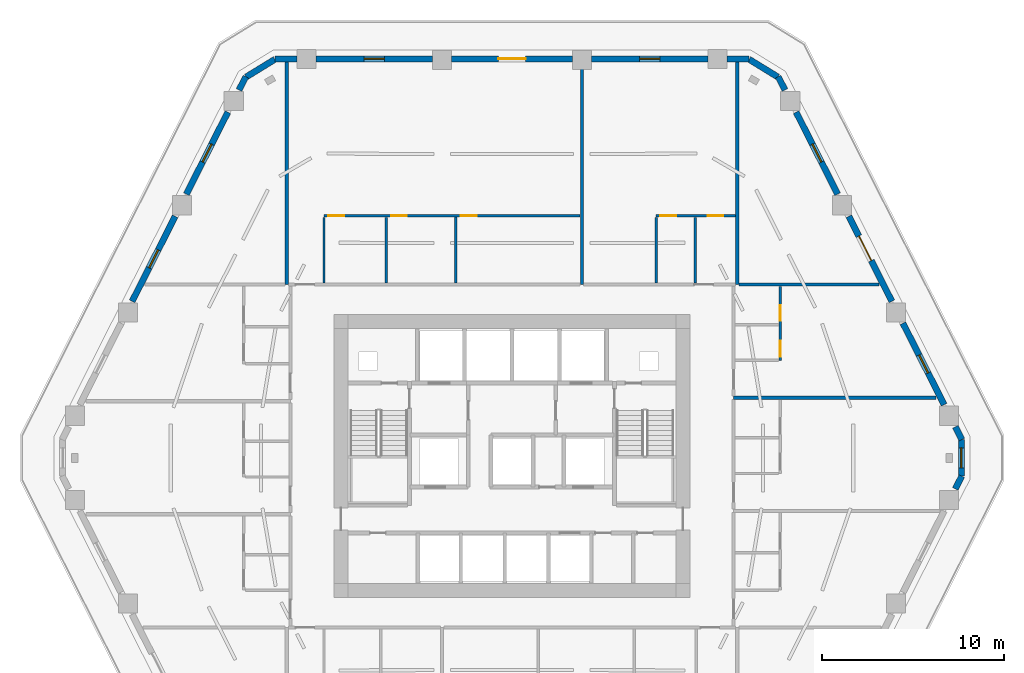
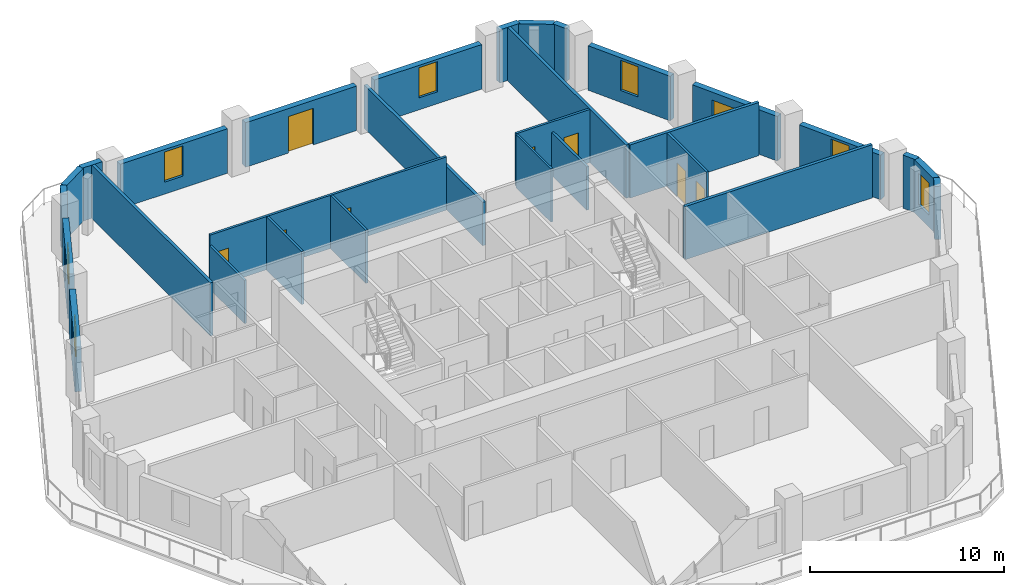
# One storey, part 6 of 10: 30 walls, 9 doors, 7 windows, 16 openings.
"""IFC4 building model written with IfcOpenShell, lengths in metres."""

from ifc_helpers import new_model, si_unit, direction, frame, frame_2d, origin, place, context, subcontext, project, spatial, rectangle, extrude, material, layer, layer_set, type_object, element, fill, save


model = new_model("IFC4")

# Units and contexts
model_context = context("Model", 3, precision=1e-05, world=origin(), true_north=direction((0.0, 1.0)))
body_context = subcontext(model_context, "Body", "Model", "MODEL_VIEW")
ifc_project = project(units=[si_unit("LENGTHUNIT", "METRE"), si_unit("AREAUNIT", "SQUARE_METRE"), si_unit("VOLUMEUNIT", "CUBIC_METRE"), si_unit("PLANEANGLEUNIT", "RADIAN"), si_unit("MASSUNIT", "GRAM", prefix="KILO")], contexts=[model_context])

# Site, building, storey
site_placement = place(None, origin())
site = spatial("IfcSite", under=ifc_project, at=site_placement, CompositionType="ELEMENT")
building_placement = place(site_placement, origin())
building = spatial("IfcBuilding", under=site, at=building_placement, Name="Cinnabar Lancet Tower", CompositionType="ELEMENT")
storey_placement = place(building_placement, frame((0.0, 0.0, 98.39990234375)))
storey = spatial("IfcBuildingStorey", under=building, at=storey_placement, Name="L25", CompositionType="ELEMENT", Elevation=98.39990234375)

# Walls
ifc_material_1 = material(Name="Fire-rated twin-frame acoustic drywall", Category="gypsum")
ifc_layer_1 = layer(ifc_material_1, 0.179931640625)
ifc_layer_set_1 = layer_set([ifc_layer_1], Name="Fire-rated twin-frame acoustic drywall")
wall_type_1 = type_object("IfcWallType", Name="ARC-WL-PARTY-180", PredefinedType="PARTITIONING", material=ifc_layer_set_1)
wall_1_placement = place(storey_placement, frame((20.050048828125, 35.300048828125, 0.0), z_axis=(0.0, 0.0, 1.0), x_axis=(0.0, 1.0, 0.0)))
element("IfcWall", 1, at=wall_1_placement, inside=storey, type_object=wall_type_1, Name="PW-L25-NPTY-200", PredefinedType="PARTITIONING", context=body_context, shape_type="SweptSolid", body=[
    extrude(rectangle(XDim=12.195068359375, YDim=0.179931640625, at=frame_2d((6.09765625, 0.0))), origin(), (0.0, 0.0, 1.0), 3.340087890625),
])
wall_2_placement = place(storey_placement, frame((36.23193359375, 35.300048828125, 0.0), z_axis=(0.0, 0.0, 1.0), x_axis=(0.0, 1.0, 0.0)))
element("IfcWall", 2, at=wall_2_placement, inside=storey, type_object=wall_type_1, Name="PW-L25-NPTY-362", PredefinedType="PARTITIONING", context=body_context, shape_type="SweptSolid", body=[
    extrude(rectangle(XDim=12.195068359375, YDim=0.179931640625, at=frame_2d((6.09765625, 0.0))), origin(), (0.0, 0.0, 1.0), 2.72216796875),
])
wall_3_placement = place(storey_placement, frame((44.75, 35.300048828125, 0.0), z_axis=(0.0, 0.0, 1.0), x_axis=(0.0, 1.0, 0.0)))
element("IfcWall", 3, at=wall_3_placement, inside=storey, type_object=wall_type_1, Name="PW-L25-NPTY-448", PredefinedType="PARTITIONING", context=body_context, shape_type="SweptSolid", body=[
    extrude(rectangle(XDim=12.195068359375, YDim=0.179931640625, at=frame_2d((6.09765625, 0.0))), origin(), (0.0, 0.0, 1.0), 3.340087890625),
])
wall_4_placement = place(storey_placement, frame((44.844970703125, 35.300048828125, 0.0), z_axis=(0.0, 0.0, 1.0), x_axis=(1.0, 0.0, 0.0)))
element("IfcWall", 4, at=wall_4_placement, inside=storey, type_object=wall_type_1, Name="PW-L25-ENB", PredefinedType="PARTITIONING", context=body_context, shape_type="SweptSolid", body=[
    extrude(rectangle(XDim=7.6689453125, YDim=0.179931640625, at=frame_2d((3.83447265625, 0.0))), origin(), (0.0, 0.0, 1.0), 3.340087890625),
])
wall_5_placement = place(storey_placement, frame((44.550048828125, 29.095947265625, 0.0), z_axis=(0.0, 0.0, 1.0), x_axis=(1.0, 0.0, 0.0)))
element("IfcWall", 5, at=wall_5_placement, inside=storey, type_object=wall_type_1, Name="PW-L25-EPTY-2", PredefinedType="PARTITIONING", context=body_context, shape_type="SweptSolid", body=[
    extrude(rectangle(XDim=11.10302734375, YDim=0.179931640625, at=frame_2d((5.551513671875, 0.0))), origin(), (0.0, 0.0, 1.0), 3.340087890625),
])
ifc_material_2 = material(Name="Gypsum plasterboard stud partition", Category="gypsum")
ifc_layer_2 = layer(ifc_material_2, 0.125)
ifc_layer_set_2 = layer_set([ifc_layer_2], Name="Gypsum plasterboard stud partition")
wall_type_2 = type_object("IfcWallType", Name="ARC-WL-UNIT-125", PredefinedType="PARTITIONING", material=ifc_layer_set_2)
wall_6_placement = place(storey_placement, frame((22.10009765625, 35.385009765625, 0.0), z_axis=(0.0, 0.0, 1.0), x_axis=(0.0, 1.0, 0.0)))
element("IfcWall", 6, at=wall_6_placement, inside=storey, type_object=wall_type_2, Name="UW-L25-N01-FOYE", PredefinedType="PARTITIONING", context=body_context, shape_type="SweptSolid", body=[
    extrude(rectangle(XDim=3.590087890625, YDim=0.125, at=frame_2d((1.794921875, 0.0))), origin(), (0.0, 0.0, 1.0), 2.72216796875),
])
wall_7_placement = place(storey_placement, frame((40.300048828125, 35.385009765625, 0.0), z_axis=(0.0, 0.0, 1.0), x_axis=(0.0, 1.0, 0.0)))
element("IfcWall", 7, at=wall_7_placement, inside=storey, type_object=wall_type_2, Name="UW-L25-N02-FOYE", PredefinedType="PARTITIONING", context=body_context, shape_type="SweptSolid", body=[
    extrude(rectangle(XDim=3.590087890625, YDim=0.125, at=frame_2d((1.794921875, 0.0))), origin(), (0.0, 0.0, 1.0), 3.340087890625),
])

# Wall, openings, doors
ifc_material_3 = material(Name="Moisture-resistant cement-board plumbing wall", Category="masonry")
ifc_layer_3 = layer(ifc_material_3, 0.139892578125)
ifc_layer_set_3 = layer_set([ifc_layer_3], Name="Moisture-resistant cement-board plumbing wall")
wall_type_3 = type_object("IfcWallType", Name="ARC-WL-WET-140", PredefinedType="PLUMBINGWALL", material=ifc_layer_set_3)
wall_8_placement = place(storey_placement, frame((22.10009765625, 39.080078125, 0.0), z_axis=(0.0, 0.0, 1.0), x_axis=(1.0, 0.0, 0.0)))
wall_8 = element("IfcWall", 8, at=wall_8_placement, inside=storey, type_object=wall_type_3, Name="UW-L25-N01-SPL", PredefinedType="PLUMBINGWALL", context=body_context, shape_type="SweptSolid", body=[
    extrude(rectangle(XDim=14.036865234375, YDim=0.139892578125, at=frame_2d((7.0185546875, 0.0))), origin(), (0.0, 0.0, 1.0), 3.340087890625),
])
opening_1_placement = place(wall_8_placement, frame((3.679931640625, 0.0, 0.0)))
opening_1 = element("IfcOpeningElement", 9, at=opening_1_placement, cuts=wall_8, Name="Opening BD-01", PredefinedType="OPENING", context=body_context, shape_type="SweptSolid", body=[
    extrude(rectangle(XDim=0.860107421875, YDim=2.10009765625, at=frame_2d((0.43017578125, 1.050048828125))), frame((0.0, 0.079833984375, 0.0), z_axis=(0.0, -1.0, 0.0), x_axis=(1.0, 0.0, 0.0)), (0.0, 0.0, 1.0), 0.159912109375),
])
opening_2_placement = place(wall_8_placement, frame((7.491943359375, 0.0, 0.0)))
opening_2 = element("IfcOpeningElement", 10, at=opening_2_placement, cuts=wall_8, Name="Opening RD-02", PredefinedType="OPENING", context=body_context, shape_type="SweptSolid", body=[
    extrude(rectangle(XDim=0.8798828125, YDim=2.14990234375, at=frame_2d((0.43994140625, 1.074951171875))), frame((0.0, 0.079833984375, 0.0), z_axis=(0.0, -1.0, 0.0), x_axis=(1.0, 0.0, 0.0)), (0.0, 0.0, 1.0), 0.159912109375),
])
opening_3_placement = place(wall_8_placement, frame((0.219970703125, 0.0, 0.0)))
opening_3 = element("IfcOpeningElement", 11, at=opening_3_placement, cuts=wall_8, Name="Opening RD-02", PredefinedType="OPENING", context=body_context, shape_type="SweptSolid", body=[
    extrude(rectangle(XDim=0.8798828125, YDim=2.14990234375, at=frame_2d((0.43994140625, 1.074951171875))), frame((0.0, 0.079833984375, 0.0), z_axis=(0.0, -1.0, 0.0), x_axis=(1.0, 0.0, 0.0)), (0.0, 0.0, 1.0), 0.159912109375),
])
ifc_material_4 = material(Name="Moisture-resistant timber bathroom door", Category="wood")
door_type_1 = type_object("IfcDoorType", Name="ARC-DR-BATH", OperationType="NOTDEFINED", PredefinedType="DOOR", material=ifc_material_4)
door_1_placement = place(opening_1_placement, origin())
door_1 = element("IfcDoor", 12, at=door_1_placement, inside=storey, type_object=door_type_1, Name="DR-L25-N01-BTH", OperationType="SINGLE_SWING_LEFT", OverallHeight=2.10009765625, OverallWidth=0.860107421875, PredefinedType="DOOR", context=body_context, shape_type="SweptSolid", body=[
    extrude(rectangle(XDim=0.860107421875, YDim=2.10009765625, at=frame_2d((0.43017578125, 1.050048828125))), frame((0.0, 0.02490234375, 0.0), z_axis=(0.0, -1.0, 0.0), x_axis=(1.0, 0.0, 0.0)), (0.0, 0.0, 1.0), 0.050048828125),
])
fill(opening_1, door_1)
ifc_material_5 = material(Name="Engineered timber study door", Category="wood")
door_type_2 = type_object("IfcDoorType", Name="ARC-DR-STUDY", OperationType="NOTDEFINED", PredefinedType="DOOR", material=ifc_material_5)
door_2_placement = place(opening_2_placement, origin())
door_2 = element("IfcDoor", 13, at=door_2_placement, inside=storey, type_object=door_type_2, Name="DR-L25-N01-BTH-WDR", OperationType="SINGLE_SWING_RIGHT", OverallHeight=2.14990234375, OverallWidth=0.8798828125, PredefinedType="DOOR", context=body_context, shape_type="SweptSolid", body=[
    extrude(rectangle(XDim=0.8798828125, YDim=2.14990234375, at=frame_2d((0.43994140625, 1.074951171875))), frame((0.0, 0.02490234375, 0.0), z_axis=(0.0, -1.0, 0.0), x_axis=(1.0, 0.0, 0.0)), (0.0, 0.0, 1.0), 0.050048828125),
])
fill(opening_2, door_2)
door_3_placement = place(opening_3_placement, origin())
door_3 = element("IfcDoor", 14, at=door_3_placement, inside=storey, type_object=door_type_2, Name="DR-L25-N01-KIT", OperationType="SINGLE_SWING_RIGHT", OverallHeight=2.14990234375, OverallWidth=0.8798828125, PredefinedType="DOOR", context=body_context, shape_type="SweptSolid", body=[
    extrude(rectangle(XDim=0.8798828125, YDim=2.14990234375, at=frame_2d((0.43994140625, 1.074951171875))), frame((0.0, 0.02490234375, 0.0), z_axis=(0.0, -1.0, 0.0), x_axis=(1.0, 0.0, 0.0)), (0.0, 0.0, 1.0), 0.050048828125),
])
fill(opening_3, door_3)

# Walls
wall_9_placement = place(storey_placement, frame((25.5, 35.385009765625, 0.0), z_axis=(0.0, 0.0, 1.0), x_axis=(0.0, 1.0, 0.0)))
element("IfcWall", 15, at=wall_9_placement, inside=storey, type_object=wall_type_3, Name="UW-L25-N01-KDV", PredefinedType="PLUMBINGWALL", context=body_context, shape_type="SweptSolid", body=[
    extrude(rectangle(XDim=3.590087890625, YDim=0.139892578125, at=frame_2d((1.794921875, 0.0))), origin(), (0.0, 0.0, 1.0), 3.340087890625),
])
wall_10_placement = place(storey_placement, frame((29.31201171875, 35.385009765625, 0.0), z_axis=(0.0, 0.0, 1.0), x_axis=(0.0, 1.0, 0.0)))
element("IfcWall", 16, at=wall_10_placement, inside=storey, type_object=wall_type_3, Name="UW-L25-N01-BTH-WDV", PredefinedType="PLUMBINGWALL", context=body_context, shape_type="SweptSolid", body=[
    extrude(rectangle(XDim=3.610107421875, YDim=0.139892578125, at=frame_2d((1.80517578125, 0.0))), origin(), (0.0, 0.0, 1.0), 3.340087890625),
])

# Wall, openings, doors
wall_11_placement = place(storey_placement, frame((40.300048828125, 39.080078125, 0.0), z_axis=(0.0, 0.0, 1.0), x_axis=(1.0, 0.0, 0.0)))
wall_11 = element("IfcWall", 17, at=wall_11_placement, inside=storey, type_object=wall_type_3, Name="UW-L25-N02-SPL", PredefinedType="PLUMBINGWALL", context=body_context, shape_type="SweptSolid", body=[
    extrude(rectangle(XDim=4.35498046875, YDim=0.139892578125, at=frame_2d((2.177490234375, 0.0))), origin(), (0.0, 0.0, 1.0), 3.340087890625),
])
opening_4_placement = place(wall_11_placement, frame((2.821044921875, 0.0, 0.0)))
opening_4 = element("IfcOpeningElement", 18, at=opening_4_placement, cuts=wall_11, Name="Opening BD-01", PredefinedType="OPENING", context=body_context, shape_type="SweptSolid", body=[
    extrude(rectangle(XDim=0.860107421875, YDim=2.10009765625, at=frame_2d((0.43017578125, 1.050048828125))), frame((0.0, 0.079833984375, 0.0), z_axis=(0.0, -1.0, 0.0), x_axis=(1.0, 0.0, 0.0)), (0.0, 0.0, 1.0), 0.159912109375),
])
opening_5_placement = place(wall_11_placement, frame((0.219970703125, 0.0, 0.0)))
opening_5 = element("IfcOpeningElement", 19, at=opening_5_placement, cuts=wall_11, Name="Opening RD-02", PredefinedType="OPENING", context=body_context, shape_type="SweptSolid", body=[
    extrude(rectangle(XDim=0.8798828125, YDim=2.14990234375, at=frame_2d((0.43994140625, 1.074951171875))), frame((0.0, 0.079833984375, 0.0), z_axis=(0.0, -1.0, 0.0), x_axis=(1.0, 0.0, 0.0)), (0.0, 0.0, 1.0), 0.159912109375),
])
door_4_placement = place(opening_4_placement, origin())
door_4 = element("IfcDoor", 20, at=door_4_placement, inside=storey, type_object=door_type_1, Name="DR-L25-N02-BTH", OperationType="SINGLE_SWING_RIGHT", OverallHeight=2.10009765625, OverallWidth=0.860107421875, PredefinedType="DOOR", context=body_context, shape_type="SweptSolid", body=[
    extrude(rectangle(XDim=0.860107421875, YDim=2.10009765625, at=frame_2d((0.43017578125, 1.050048828125))), frame((0.0, 0.02490234375, 0.0), z_axis=(0.0, -1.0, 0.0), x_axis=(1.0, 0.0, 0.0)), (0.0, 0.0, 1.0), 0.050048828125),
])
fill(opening_4, door_4)
door_5_placement = place(opening_5_placement, origin())
door_5 = element("IfcDoor", 21, at=door_5_placement, inside=storey, type_object=door_type_2, Name="DR-L25-N02-KIT", OperationType="SINGLE_SWING_LEFT", OverallHeight=2.14990234375, OverallWidth=0.8798828125, PredefinedType="DOOR", context=body_context, shape_type="SweptSolid", body=[
    extrude(rectangle(XDim=0.8798828125, YDim=2.14990234375, at=frame_2d((0.43994140625, 1.074951171875))), frame((0.0, 0.02490234375, 0.0), z_axis=(0.0, -1.0, 0.0), x_axis=(1.0, 0.0, 0.0)), (0.0, 0.0, 1.0), 0.050048828125),
])
fill(opening_5, door_5)

# Wall
wall_12_placement = place(storey_placement, frame((42.43603515625, 35.385009765625, 0.0), z_axis=(0.0, 0.0, 1.0), x_axis=(0.0, 1.0, 0.0)))
element("IfcWall", 22, at=wall_12_placement, inside=storey, type_object=wall_type_3, Name="UW-L25-N02-KDV", PredefinedType="PLUMBINGWALL", context=body_context, shape_type="SweptSolid", body=[
    extrude(rectangle(XDim=3.590087890625, YDim=0.139892578125, at=frame_2d((1.794921875, 0.0))), origin(), (0.0, 0.0, 1.0), 2.72216796875),
])

# Wall, openings, doors
wall_13_placement = place(storey_placement, frame((47.10009765625, 31.14599609375, 0.0), z_axis=(0.0, 0.0, 1.0), x_axis=(0.0, 1.0, 0.0)))
wall_13 = element("IfcWall", 23, at=wall_13_placement, inside=storey, type_object=wall_type_3, Name="UW-L25-E03-SPL", PredefinedType="PLUMBINGWALL", context=body_context, shape_type="SweptSolid", body=[
    extrude(rectangle(XDim=4.05908203125, YDim=0.139892578125, at=frame_2d((2.029541015625, 0.0))), origin(), (0.0, 0.0, 1.0), 3.340087890625),
])
opening_6_placement = place(wall_13_placement, frame((2.16796875, 0.0, 0.0)))
opening_6 = element("IfcOpeningElement", 24, at=opening_6_placement, cuts=wall_13, Name="Opening BD-01", PredefinedType="OPENING", context=body_context, shape_type="SweptSolid", body=[
    extrude(rectangle(XDim=0.860107421875, YDim=2.10009765625, at=frame_2d((0.43017578125, 1.050048828125))), frame((0.0, 0.079833984375, 0.0), z_axis=(0.0, -1.0, 0.0), x_axis=(1.0, 0.0, 0.0)), (0.0, 0.0, 1.0), 0.159912109375),
])
opening_7_placement = place(wall_13_placement, frame((0.199951171875, 0.0, 0.0)))
opening_7 = element("IfcOpeningElement", 25, at=opening_7_placement, cuts=wall_13, Name="Opening RD-02", PredefinedType="OPENING", context=body_context, shape_type="SweptSolid", body=[
    extrude(rectangle(XDim=0.8798828125, YDim=2.14990234375, at=frame_2d((0.43994140625, 1.074951171875))), frame((0.0, 0.079833984375, 0.0), z_axis=(0.0, -1.0, 0.0), x_axis=(1.0, 0.0, 0.0)), (0.0, 0.0, 1.0), 0.159912109375),
])
door_6_placement = place(opening_6_placement, origin())
door_6 = element("IfcDoor", 26, at=door_6_placement, inside=storey, type_object=door_type_1, Name="DR-L25-E03-BTH", OperationType="SINGLE_SWING_LEFT", OverallHeight=2.10009765625, OverallWidth=0.860107421875, PredefinedType="DOOR", context=body_context, shape_type="SweptSolid", body=[
    extrude(rectangle(XDim=0.860107421875, YDim=2.10009765625, at=frame_2d((0.43017578125, 1.050048828125))), frame((0.0, 0.02490234375, 0.0), z_axis=(0.0, -1.0, 0.0), x_axis=(1.0, 0.0, 0.0)), (0.0, 0.0, 1.0), 0.050048828125),
])
fill(opening_6, door_6)
door_7_placement = place(opening_7_placement, origin())
door_7 = element("IfcDoor", 27, at=door_7_placement, inside=storey, type_object=door_type_2, Name="DR-L25-E03-KIT", OperationType="SINGLE_SWING_RIGHT", OverallHeight=2.14990234375, OverallWidth=0.8798828125, PredefinedType="DOOR", context=body_context, shape_type="SweptSolid", body=[
    extrude(rectangle(XDim=0.8798828125, YDim=2.14990234375, at=frame_2d((0.43994140625, 1.074951171875))), frame((0.0, 0.02490234375, 0.0), z_axis=(0.0, -1.0, 0.0), x_axis=(1.0, 0.0, 0.0)), (0.0, 0.0, 1.0), 0.050048828125),
])
fill(opening_7, door_7)

# Wall, opening, window
ifc_material_6 = material(Name="Cinnabar red clay brick", Category="masonry")
ifc_layer_4 = layer(ifc_material_6, 0.340087890625)
ifc_layer_set_4 = layer_set([ifc_layer_4], Name="Cinnabar red clay brick")
wall_type_4 = type_object("IfcWallType", Name="ENV-WL-BRK-RED-340", PredefinedType="STANDARD", material=ifc_layer_set_4)
wall_14_placement = place(storey_placement, frame((57.032958984375, 24.802978515625, 0.0), z_axis=(0.0, 0.0, 1.0), x_axis=(0.0, 1.0, 0.0)))
wall_14 = element("IfcWall", 28, at=wall_14_placement, inside=storey, type_object=wall_type_4, Name="L25 Chamfered Corner Brick Pier 3.1", PredefinedType="STANDARD", context=body_context, shape_type="SweptSolid", body=[
    extrude(rectangle(XDim=1.994140625, YDim=0.340087890625, at=frame_2d((0.9970703125, 0.0))), origin(), (0.0, 0.0, 1.0), 3.340087890625),
])
opening_8_placement = place(wall_14_placement, frame((0.447021484375, 0.0, 0.75)))
opening_8 = element("IfcOpeningElement", 29, at=opening_8_placement, cuts=wall_14, Name="Opening WN-04", PredefinedType="OPENING", context=body_context, shape_type="SweptSolid", body=[
    extrude(rectangle(XDim=1.10009765625, YDim=2.0, at=frame_2d((0.550048828125, 1.0))), frame((0.0, 0.179931640625, 0.0), z_axis=(0.0, -1.0, 0.0), x_axis=(1.0, 0.0, 0.0)), (0.0, 0.0, 1.0), 0.360107421875),
])
ifc_material_7 = material(Name="Thermally broken bronze-anodized aluminium tall lancet window", Category="aluminium")
window_type = type_object("IfcWindowType", Name="ENV-WN-LANCET-1100", PartitioningType="SINGLE_PANEL", PredefinedType="WINDOW", material=ifc_material_7)
window_1_placement = place(opening_8_placement, origin())
window_1 = element("IfcWindow", 30, at=window_1_placement, inside=storey, type_object=window_type, Name="L25 Dwelling Gothic Lancet Window 315", OverallHeight=2.0, OverallWidth=1.10009765625, PartitioningType="SINGLE_PANEL", PredefinedType="WINDOW", context=body_context, shape_type="SweptSolid", body=[
    extrude(rectangle(XDim=1.10009765625, YDim=2.0, at=frame_2d((0.550048828125, 1.0))), frame((0.0, 0.030029296875, 0.0), z_axis=(0.0, -1.0, 0.0), x_axis=(1.0, 0.0, 0.0)), (0.0, 0.0, 1.0), 0.06005859375),
])
fill(opening_8, window_1)

# Walls
for number, where, z_axis, x_axis, name in (
    (31, (46.970947265625, 46.677001953125, 0.0), (0.0, 0.0, 1.0), (-0.851798915137, 0.523868884523, 0.0), "L25 Chamfered Corner Brick Pier 4.1"),
    (32, (19.403076171875, 47.64501953125, 0.0), (0.0, 0.0, 1.0), (-0.851798915137, -0.523868884523, 0.0), "L25 Chamfered Corner Brick Pier 5.1"),
):
    element("IfcWall", number, at=place(storey_placement, frame(where, z_axis=z_axis, x_axis=x_axis)), inside=storey, type_object=wall_type_4, Name=name, PredefinedType="STANDARD", context=body_context, shape_type="SweptSolid", body=[
        extrude(rectangle(XDim=1.847900390625, YDim=0.340087890625, at=frame_2d((0.923828125, 0.0))), origin(), (0.0, 0.0, 1.0), 3.340087890625),
    ])
for number, where, z_axis, x_axis, name in (
    (33, (56.699951171875, 24.096923828125, 0.0), (0.0, 0.0, 1.0), (0.451819324107, 0.89210946546, 0.0), "L25 Face 2 Masonry Bay Wall 5"),
    (34, (57.053955078125, 26.803955078125, 0.0), (0.0, 0.0, 1.0), (-0.451819324107, 0.89210946546, 0.0), "L25 Face 3 Masonry Bay Wall 1"),
):
    element("IfcWall", number, at=place(storey_placement, frame(where, z_axis=z_axis, x_axis=x_axis)), inside=storey, type_object=wall_type_4, Name=name, PredefinedType="STANDARD", context=body_context, shape_type="SweptSolid", body=[
        extrude(rectangle(XDim=0.783447265625, YDim=0.340087890625, at=frame_2d((0.3916015625, 0.0))), origin(), (0.0, 0.0, 1.0), 3.340087890625),
    ])

# Wall, opening, window
wall_15_placement = place(storey_placement, frame((56.0869140625, 28.715087890625, 0.0), z_axis=(0.0, 0.0, 1.0), x_axis=(-0.451431617681, 0.892305718102, 0.0)))
wall_15 = element("IfcWall", 35, at=wall_15_placement, inside=storey, type_object=wall_type_4, Name="L25 Face 3 Masonry Bay Wall 2", PredefinedType="STANDARD", context=body_context, shape_type="SweptSolid", body=[
    extrude(rectangle(XDim=4.994873046875, YDim=0.340087890625, at=frame_2d((2.49755859375, 0.0))), origin(), (0.0, 0.0, 1.0), 2.797119140625),
])
opening_9_placement = place(wall_15_placement, frame((1.947021484375, 0.0, 0.75)))
opening_9 = element("IfcOpeningElement", 36, at=opening_9_placement, cuts=wall_15, Name="Opening WN-04", PredefinedType="OPENING", context=body_context, shape_type="SweptSolid", body=[
    extrude(rectangle(XDim=1.10009765625, YDim=1.89697265625, at=frame_2d((0.550048828125, 0.948486328125))), frame((0.0, 0.179931640625, 0.0), z_axis=(0.0, -1.0, 0.0), x_axis=(1.0, 0.0, 0.0)), (0.0, 0.0, 1.0), 0.360107421875),
])
window_2_placement = place(opening_9_placement, origin())
window_2 = element("IfcWindow", 37, at=window_2_placement, inside=storey, type_object=window_type, Name="L25 Face 3 Gothic Lancet Window 2", OverallHeight=1.89697265625, OverallWidth=1.10009765625, PartitioningType="SINGLE_PANEL", PredefinedType="WINDOW", context=body_context, shape_type="SweptSolid", body=[
    extrude(rectangle(XDim=1.10009765625, YDim=1.89697265625, at=frame_2d((0.550048828125, 0.948486328125))), frame((0.0, 0.030029296875, 0.0), z_axis=(0.0, -1.0, 0.0), x_axis=(1.0, 0.0, 0.0)), (0.0, 0.0, 1.0), 0.06005859375),
])
fill(opening_9, window_2)

# Wall, opening, door
wall_16_placement = place(storey_placement, frame((53.219970703125, 34.382080078125, 0.0), z_axis=(0.0, 0.0, 1.0), x_axis=(-0.451567731634, 0.892236842855, 0.0)))
wall_16 = element("IfcWall", 38, at=wall_16_placement, inside=storey, type_object=wall_type_4, Name="L25 Face 3 Masonry Bay Wall 3", PredefinedType="STANDARD", context=body_context, shape_type="SweptSolid", body=[
    extrude(rectangle(XDim=5.219482421875, YDim=0.340087890625, at=frame_2d((2.60986328125, 0.0))), origin(), (0.0, 0.0, 1.0), 2.797119140625),
])
opening_10_placement = place(wall_16_placement, frame((2.4990234375, 0.0, 0.0)))
opening_10 = element("IfcOpeningElement", 39, at=opening_10_placement, cuts=wall_16, Name="Opening TD-02", PredefinedType="OPENING", context=body_context, shape_type="SweptSolid", body=[
    extrude(rectangle(XDim=1.5, YDim=2.300048828125, at=frame_2d((0.75, 1.14990234375))), frame((0.0, 0.179931640625, 0.0), z_axis=(0.0, -1.0, 0.0), x_axis=(1.0, 0.0, 0.0)), (0.0, 0.0, 1.0), 0.360107421875),
])
ifc_material_8 = material(Name="Thermally broken low-E glazed sky-terrace double door", Category="wood")
door_type_3 = type_object("IfcDoorType", Name="ARC-DR-STER", OperationType="NOTDEFINED", PredefinedType="DOOR", material=ifc_material_8)
door_8_placement = place(opening_10_placement, origin())
door_8 = element("IfcDoor", 40, at=door_8_placement, inside=storey, type_object=door_type_3, Name="L25 Face 3 Glazed Terrace Door", OperationType="SINGLE_SWING_RIGHT", OverallHeight=2.300048828125, OverallWidth=1.5, PredefinedType="DOOR", context=body_context, shape_type="SweptSolid", body=[
    extrude(rectangle(XDim=1.5, YDim=2.300048828125, at=frame_2d((0.75, 1.14990234375))), frame((0.0, 0.02490234375, 0.0), z_axis=(0.0, -1.0, 0.0), x_axis=(1.0, 0.0, 0.0)), (0.0, 0.0, 1.0), 0.050048828125),
])
fill(opening_10, door_8)

# Wall, opening, window
wall_17_placement = place(storey_placement, frame((50.2509765625, 40.2509765625, 0.0), z_axis=(0.0, 0.0, 1.0), x_axis=(-0.451548465867, 0.892246593142, 0.0)))
wall_17 = element("IfcWall", 41, at=wall_17_placement, inside=storey, type_object=wall_type_4, Name="L25 Face 3 Masonry Bay Wall 4", PredefinedType="STANDARD", context=body_context, shape_type="SweptSolid", body=[
    extrude(rectangle(XDim=5.040283203125, YDim=0.340087890625, at=frame_2d((2.52001953125, 0.0))), origin(), (0.0, 0.0, 1.0), 2.797119140625),
])
opening_11_placement = place(wall_17_placement, frame((1.969970703125, 0.0, 0.75)))
opening_11 = element("IfcOpeningElement", 42, at=opening_11_placement, cuts=wall_17, Name="Opening WN-04", PredefinedType="OPENING", context=body_context, shape_type="SweptSolid", body=[
    extrude(rectangle(XDim=1.10009765625, YDim=1.89697265625, at=frame_2d((0.550048828125, 0.948486328125))), frame((0.0, 0.179931640625, 0.0), z_axis=(0.0, -1.0, 0.0), x_axis=(1.0, 0.0, 0.0)), (0.0, 0.0, 1.0), 0.360107421875),
])
window_3_placement = place(opening_11_placement, origin())
window_3 = element("IfcWindow", 43, at=window_3_placement, inside=storey, type_object=window_type, Name="L25 Face 3 Gothic Lancet Window 4", OverallHeight=1.89697265625, OverallWidth=1.10009765625, PartitioningType="SINGLE_PANEL", PredefinedType="WINDOW", context=body_context, shape_type="SweptSolid", body=[
    extrude(rectangle(XDim=1.10009765625, YDim=1.89697265625, at=frame_2d((0.550048828125, 0.948486328125))), frame((0.0, 0.030029296875, 0.0), z_axis=(0.0, -1.0, 0.0), x_axis=(1.0, 0.0, 0.0)), (0.0, 0.0, 1.0), 0.06005859375),
])
fill(opening_11, window_3)

# Walls
wall_18_placement = place(storey_placement, frame((47.362060546875, 45.9599609375, 0.0), z_axis=(0.0, 0.0, 1.0), x_axis=(-0.45160540153, 0.89221777684, 0.0)))
element("IfcWall", 44, at=wall_18_placement, inside=storey, type_object=wall_type_4, Name="L25 Face 3 Masonry Bay Wall 5", PredefinedType="STANDARD", context=body_context, shape_type="SweptSolid", body=[
    extrude(rectangle(XDim=0.82177734375, YDim=0.340087890625, at=frame_2d((0.410888671875, 0.0))), origin(), (0.0, 0.0, 1.0), 3.340087890625),
])
wall_19_placement = place(storey_placement, frame((45.402099609375, 47.669921875, 0.0), z_axis=(0.0, 0.0, 1.0), x_axis=(-1.0, 0.0, 0.0)))
element("IfcWall", 45, at=wall_19_placement, inside=storey, type_object=wall_type_4, Name="L25 Face 4 Masonry Bay Wall 1", PredefinedType="STANDARD", context=body_context, shape_type="SweptSolid", body=[
    extrude(rectangle(XDim=1.2041015625, YDim=0.340087890625, at=frame_2d((0.60205078125, 0.0))), origin(), (0.0, 0.0, 1.0), 3.340087890625),
])

# Wall, opening, window
wall_20_placement = place(storey_placement, frame((43.139892578125, 47.669921875, 0.0), z_axis=(0.0, 0.0, 1.0), x_axis=(-1.0, 0.0, 0.0)))
wall_20 = element("IfcWall", 46, at=wall_20_placement, inside=storey, type_object=wall_type_4, Name="L25 Face 4 Masonry Bay Wall 2", PredefinedType="STANDARD", context=body_context, shape_type="SweptSolid", body=[
    extrude(rectangle(XDim=6.37890625, YDim=0.340087890625, at=frame_2d((3.189453125, 0.0))), origin(), (0.0, 0.0, 1.0), 2.797119140625),
])
opening_12_placement = place(wall_20_placement, frame((2.638916015625, 0.0, 0.75)))
opening_12 = element("IfcOpeningElement", 47, at=opening_12_placement, cuts=wall_20, Name="Opening WN-04", PredefinedType="OPENING", context=body_context, shape_type="SweptSolid", body=[
    extrude(rectangle(XDim=1.10009765625, YDim=1.89697265625, at=frame_2d((0.550048828125, 0.948486328125))), frame((0.0, 0.179931640625, 0.0), z_axis=(0.0, -1.0, 0.0), x_axis=(1.0, 0.0, 0.0)), (0.0, 0.0, 1.0), 0.360107421875),
])
window_4_placement = place(opening_12_placement, origin())
window_4 = element("IfcWindow", 48, at=window_4_placement, inside=storey, type_object=window_type, Name="L25 Face 4 Gothic Lancet Window 2", OverallHeight=1.89697265625, OverallWidth=1.10009765625, PartitioningType="SINGLE_PANEL", PredefinedType="WINDOW", context=body_context, shape_type="SweptSolid", body=[
    extrude(rectangle(XDim=1.10009765625, YDim=1.89697265625, at=frame_2d((0.550048828125, 0.948486328125))), frame((0.0, 0.030029296875, 0.0), z_axis=(0.0, -1.0, 0.0), x_axis=(1.0, 0.0, 0.0)), (0.0, 0.0, 1.0), 0.06005859375),
])
fill(opening_12, window_4)

# Wall, opening, door
wall_21_placement = place(storey_placement, frame((35.702880859375, 47.669921875, 0.0), z_axis=(0.0, 0.0, 1.0), x_axis=(-1.0, 0.0, 0.0)))
wall_21 = element("IfcWall", 49, at=wall_21_placement, inside=storey, type_object=wall_type_4, Name="L25 Face 4 Masonry Bay Wall 3", PredefinedType="STANDARD", context=body_context, shape_type="SweptSolid", body=[
    extrude(rectangle(XDim=6.60595703125, YDim=0.340087890625, at=frame_2d((3.302978515625, 0.0))), origin(), (0.0, 0.0, 1.0), 2.797119140625),
])
opening_13_placement = place(wall_21_placement, frame((2.552978515625, 0.0, 0.0)))
opening_13 = element("IfcOpeningElement", 50, at=opening_13_placement, cuts=wall_21, Name="Opening TD-02", PredefinedType="OPENING", context=body_context, shape_type="SweptSolid", body=[
    extrude(rectangle(XDim=1.5, YDim=2.300048828125, at=frame_2d((0.75, 1.14990234375))), frame((0.0, 0.179931640625, 0.0), z_axis=(0.0, -1.0, 0.0), x_axis=(1.0, 0.0, 0.0)), (0.0, 0.0, 1.0), 0.360107421875),
])
door_9_placement = place(opening_13_placement, origin())
door_9 = element("IfcDoor", 51, at=door_9_placement, inside=storey, type_object=door_type_3, Name="L25 Face 4 Glazed Terrace Door", OperationType="SINGLE_SWING_LEFT", OverallHeight=2.300048828125, OverallWidth=1.5, PredefinedType="DOOR", context=body_context, shape_type="SweptSolid", body=[
    extrude(rectangle(XDim=1.5, YDim=2.300048828125, at=frame_2d((0.75, 1.14990234375))), frame((0.0, 0.02490234375, 0.0), z_axis=(0.0, -1.0, 0.0), x_axis=(1.0, 0.0, 0.0)), (0.0, 0.0, 1.0), 0.050048828125),
])
fill(opening_13, door_9)

# Wall, opening, window
wall_22_placement = place(storey_placement, frame((28.0390625, 47.669921875, 0.0), z_axis=(0.0, 0.0, 1.0), x_axis=(-1.0, 0.0, 0.0)))
wall_22 = element("IfcWall", 52, at=wall_22_placement, inside=storey, type_object=wall_type_4, Name="L25 Face 4 Masonry Bay Wall 4", PredefinedType="STANDARD", context=body_context, shape_type="SweptSolid", body=[
    extrude(rectangle(XDim=6.379150390625, YDim=0.340087890625, at=frame_2d((3.189453125, 0.0))), origin(), (0.0, 0.0, 1.0), 2.797119140625),
])
opening_14_placement = place(wall_22_placement, frame((2.639892578125, 0.0, 0.75)))
opening_14 = element("IfcOpeningElement", 53, at=opening_14_placement, cuts=wall_22, Name="Opening WN-04", PredefinedType="OPENING", context=body_context, shape_type="SweptSolid", body=[
    extrude(rectangle(XDim=1.10009765625, YDim=1.89697265625, at=frame_2d((0.550048828125, 0.948486328125))), frame((0.0, 0.179931640625, 0.0), z_axis=(0.0, -1.0, 0.0), x_axis=(1.0, 0.0, 0.0)), (0.0, 0.0, 1.0), 0.360107421875),
])
window_5_placement = place(opening_14_placement, origin())
window_5 = element("IfcWindow", 54, at=window_5_placement, inside=storey, type_object=window_type, Name="L25 Face 4 Gothic Lancet Window 4", OverallHeight=1.89697265625, OverallWidth=1.10009765625, PartitioningType="SINGLE_PANEL", PredefinedType="WINDOW", context=body_context, shape_type="SweptSolid", body=[
    extrude(rectangle(XDim=1.10009765625, YDim=1.89697265625, at=frame_2d((0.550048828125, 0.948486328125))), frame((0.0, 0.030029296875, 0.0), z_axis=(0.0, -1.0, 0.0), x_axis=(1.0, 0.0, 0.0)), (0.0, 0.0, 1.0), 0.06005859375),
])
fill(opening_14, window_5)

# Walls
wall_23_placement = place(storey_placement, frame((20.60205078125, 47.669921875, 0.0), z_axis=(0.0, 0.0, 1.0), x_axis=(-1.0, 0.0, 0.0)))
element("IfcWall", 55, at=wall_23_placement, inside=storey, type_object=wall_type_4, Name="L25 Face 4 Masonry Bay Wall 5", PredefinedType="STANDARD", context=body_context, shape_type="SweptSolid", body=[
    extrude(rectangle(XDim=1.2041015625, YDim=0.340087890625, at=frame_2d((0.60205078125, 0.0))), origin(), (0.0, 0.0, 1.0), 3.340087890625),
])
wall_24_placement = place(storey_placement, frame((17.80908203125, 46.693115234375, 0.0), z_axis=(0.0, 0.0, 1.0), x_axis=(-0.45160540153, -0.89221777684, 0.0)))
element("IfcWall", 56, at=wall_24_placement, inside=storey, type_object=wall_type_4, Name="L25 Face 5 Masonry Bay Wall 1", PredefinedType="STANDARD", context=body_context, shape_type="SweptSolid", body=[
    extrude(rectangle(XDim=0.82177734375, YDim=0.340087890625, at=frame_2d((0.410888671875, 0.0))), origin(), (0.0, 0.0, 1.0), 3.340087890625),
])

# Wall, opening, window
wall_25_placement = place(storey_placement, frame((16.824951171875, 44.748046875, 0.0), z_axis=(0.0, 0.0, 1.0), x_axis=(-0.451548465867, -0.892246593142, 0.0)))
wall_25 = element("IfcWall", 57, at=wall_25_placement, inside=storey, type_object=wall_type_4, Name="L25 Face 5 Masonry Bay Wall 2", PredefinedType="STANDARD", context=body_context, shape_type="SweptSolid", body=[
    extrude(rectangle(XDim=5.040283203125, YDim=0.340087890625, at=frame_2d((2.52001953125, 0.0))), origin(), (0.0, 0.0, 1.0), 2.797119140625),
])
opening_15_placement = place(wall_25_placement, frame((1.969970703125, 0.0, 0.75)))
opening_15 = element("IfcOpeningElement", 58, at=opening_15_placement, cuts=wall_25, Name="Opening WN-04", PredefinedType="OPENING", context=body_context, shape_type="SweptSolid", body=[
    extrude(rectangle(XDim=1.10009765625, YDim=1.89697265625, at=frame_2d((0.550048828125, 0.948486328125))), frame((0.0, 0.179931640625, 0.0), z_axis=(0.0, -1.0, 0.0), x_axis=(1.0, 0.0, 0.0)), (0.0, 0.0, 1.0), 0.360107421875),
])
window_6_placement = place(opening_15_placement, origin())
window_6 = element("IfcWindow", 59, at=window_6_placement, inside=storey, type_object=window_type, Name="L25 Face 5 Gothic Lancet Window 2", OverallHeight=1.89697265625, OverallWidth=1.10009765625, PartitioningType="SINGLE_PANEL", PredefinedType="WINDOW", context=body_context, shape_type="SweptSolid", body=[
    extrude(rectangle(XDim=1.10009765625, YDim=1.89697265625, at=frame_2d((0.550048828125, 0.948486328125))), frame((0.0, 0.030029296875, 0.0), z_axis=(0.0, -1.0, 0.0), x_axis=(1.0, 0.0, 0.0)), (0.0, 0.0, 1.0), 0.06005859375),
])
fill(opening_15, window_6)

wall_26_placement = place(storey_placement, frame((13.93701171875, 39.0390625, 0.0), z_axis=(0.0, 0.0, 1.0), x_axis=(-0.451567731634, -0.892236842855, 0.0)))
wall_26 = element("IfcWall", 60, at=wall_26_placement, inside=storey, type_object=wall_type_4, Name="L25 Face 5 Masonry Bay Wall 3", PredefinedType="STANDARD", context=body_context, shape_type="SweptSolid", body=[
    extrude(rectangle(XDim=5.219482421875, YDim=0.340087890625, at=frame_2d((2.60986328125, 0.0))), origin(), (0.0, 0.0, 1.0), 2.797119140625),
])
opening_16_placement = place(wall_26_placement, frame((2.06005859375, 0.0, 0.75)))
opening_16 = element("IfcOpeningElement", 61, at=opening_16_placement, cuts=wall_26, Name="Opening WN-04", PredefinedType="OPENING", context=body_context, shape_type="SweptSolid", body=[
    extrude(rectangle(XDim=1.10009765625, YDim=1.89697265625, at=frame_2d((0.550048828125, 0.948486328125))), frame((0.0, 0.179931640625, 0.0), z_axis=(0.0, -1.0, 0.0), x_axis=(1.0, 0.0, 0.0)), (0.0, 0.0, 1.0), 0.360107421875),
])
window_7_placement = place(opening_16_placement, origin())
window_7 = element("IfcWindow", 62, at=window_7_placement, inside=storey, type_object=window_type, Name="L25 Face 5 Gothic Lancet Window 3", OverallHeight=1.89697265625, OverallWidth=1.10009765625, PartitioningType="SINGLE_PANEL", PredefinedType="WINDOW", context=body_context, shape_type="SweptSolid", body=[
    extrude(rectangle(XDim=1.10009765625, YDim=1.89697265625, at=frame_2d((0.550048828125, 0.948486328125))), frame((0.0, 0.030029296875, 0.0), z_axis=(0.0, -1.0, 0.0), x_axis=(1.0, 0.0, 0.0)), (0.0, 0.0, 1.0), 0.06005859375),
])
fill(opening_16, window_7)

save(model, "model.ifc")
